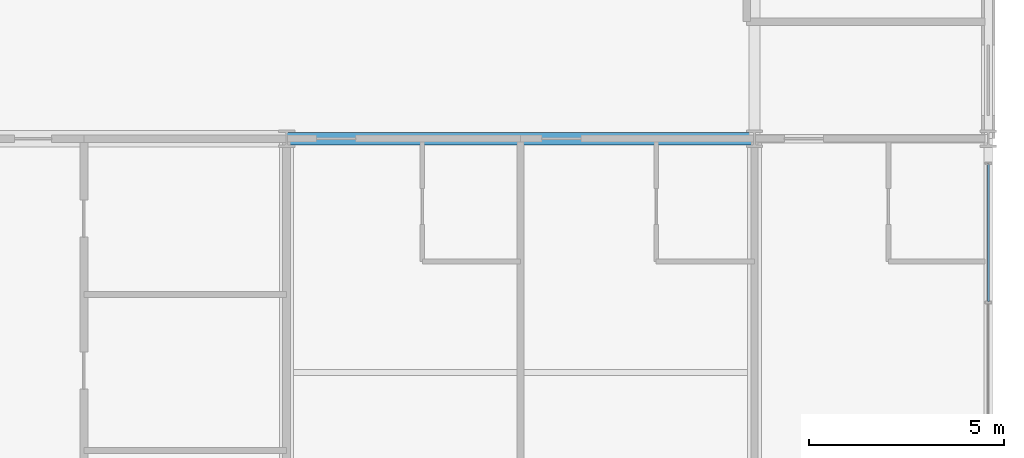
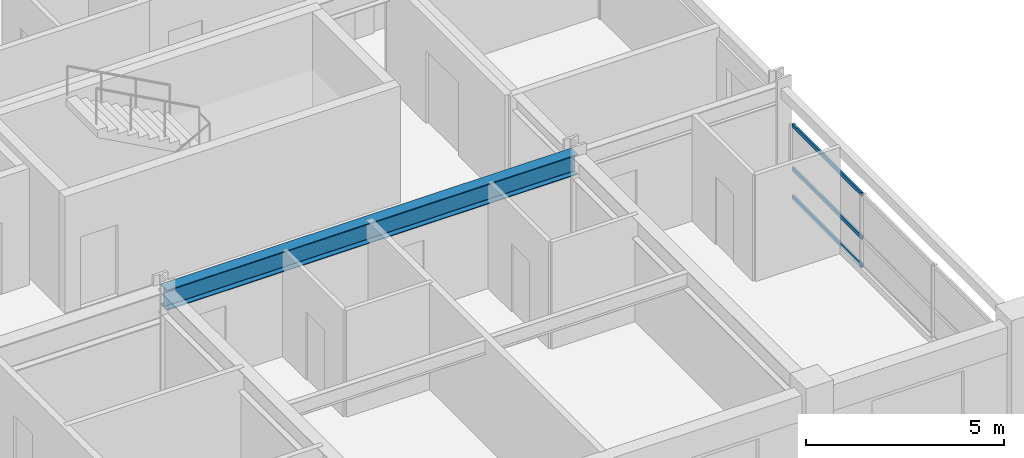
# One storey, part 11 of 26: 3 members, 1 beam, 1 element without a shape of its own.
"""IFC4 building model written with IfcOpenShell, lengths in metres."""

import ifcopenshell
import ifcopenshell.guid

model = None  # the IFC model being written
_history = None  # IfcOwnerHistory: only IFC2X3 demands one
_inside = {}  # id of a spatial element -> (the spatial element, [elements in it])
_under = {}  # id of a project, library or spatial element -> (it, [spatial elements below it])
_declared = {}  # id of a project -> (the project, [libraries it declares])
_typed = {}  # id of a type object -> (the type object, [elements of that type])
_made_of = {}  # id of a material, layer set ... -> (it, [elements and type objects made of it])


def new_model(schema):
    """Start an empty IFC model of exactly this schema.

    Asked for "IFC4X3", IfcOpenShell would pick the latest addendum, in which some entities
    have other attributes; the version numbers below select the first issue.
    IFC2X3 requires an IfcOwnerHistory on every rooted entity: one is made here for all.
    """
    global model, _history
    if schema == "IFC4X3":
        model = ifcopenshell.file(schema_version=(4, 3, 0, 0))
    else:
        model = ifcopenshell.file(schema=schema)
    _inside.clear()
    _under.clear()
    _declared.clear()
    _typed.clear()
    _made_of.clear()
    _history = None
    if model.schema == "IFC2X3":
        org = make("IfcOrganization", Name="unknown")
        user = make(
            "IfcPersonAndOrganization",
            ThePerson=make("IfcPerson", FamilyName="unknown"),
            TheOrganization=org,
        )
        app = make(
            "IfcApplication",
            ApplicationDeveloper=org,
            Version="unknown",
            ApplicationFullName="unknown",
            ApplicationIdentifier="unknown",
        )
        _history = make(
            "IfcOwnerHistory",
            OwningUser=user,
            OwningApplication=app,
            ChangeAction="ADDED",
            CreationDate=0,
        )
    return model


def make(cls, **values):
    """One entity of the class cls with the attributes given. An attribute that is None is left unset."""
    return model.create_entity(
        cls, **{name: value for name, value in values.items() if value is not None}
    )


def rooted(cls, **values):
    """An entity with a GlobalId (a new one), such as an element, a storey or a relation."""
    return make(cls, GlobalId=ifcopenshell.guid.new(), OwnerHistory=_history, **values)


def si_unit(unit_type, name, prefix=None):
    """IfcSIUnit, for example si_unit("LENGTHUNIT", "METRE", prefix="MILLI")."""
    return make("IfcSIUnit", UnitType=unit_type, Prefix=prefix, Name=name)


def assignment(units):
    """IfcUnitAssignment: the units of a project."""
    return None if units is None else make("IfcUnitAssignment", Units=units)


def point(xyz):
    """IfcCartesianPoint."""
    return None if xyz is None else make("IfcCartesianPoint", Coordinates=xyz)


def direction(xyz):
    """IfcDirection."""
    return None if xyz is None else make("IfcDirection", DirectionRatios=xyz)


def frame(location, z_axis=None, x_axis=None):
    """IfcAxis2Placement3D, a coordinate frame: its origin and axes. An axis left out is left unset."""
    return make(
        "IfcAxis2Placement3D",
        Location=point(location),
        Axis=direction(z_axis),
        RefDirection=direction(x_axis),
    )


def frame_2d(location, x_axis=None):
    """IfcAxis2Placement2D, a coordinate frame in the plane: its origin and x axis."""
    return make(
        "IfcAxis2Placement2D", Location=point(location), RefDirection=direction(x_axis)
    )


def origin():
    """The frame at (0, 0, 0) with its axes left unset."""
    return frame((0.0, 0.0, 0.0))


def origin_2d():
    """The frame at (0, 0) in the plane with its x axis left unset."""
    return frame_2d((0.0, 0.0))


def place(relative_to, where):
    """IfcLocalPlacement: puts the frame where relative to a parent placement (None: the world)."""
    return make(
        "IfcLocalPlacement", PlacementRelTo=relative_to, RelativePlacement=where
    )


def context(
    kind, dimensions, precision=None, world=None, true_north=None, identifier=None
):
    """IfcGeometricRepresentationContext, for example the 3D "Model" context."""
    return make(
        "IfcGeometricRepresentationContext",
        ContextIdentifier=identifier,
        ContextType=kind,
        CoordinateSpaceDimension=dimensions,
        Precision=precision,
        WorldCoordinateSystem=world,
        TrueNorth=true_north,
    )


def subcontext(parent, identifier, kind, view, scale=None):
    """IfcGeometricRepresentationSubContext, for example "Body" below "Model"."""
    return make(
        "IfcGeometricRepresentationSubContext",
        ContextIdentifier=identifier,
        ContextType=kind,
        ParentContext=parent,
        TargetScale=scale,
        TargetView=view,
    )


def project(units=None, contexts=None):
    """IfcProject with its units and contexts."""
    return rooted(
        "IfcProject",
        Name="project",
        RepresentationContexts=contexts,
        UnitsInContext=assignment(units),
    )


def spatial(cls, under=None, at=None, **own):
    """A site, building, storey or space (cls), placed at a placement, below another one or the project."""
    s = rooted(cls, ObjectPlacement=at, **own)
    if under is not None:
        _under.setdefault(under.id(), (under, []))[1].append(s)
    return s


def profile(cls, at=None, kind="AREA", **sizes):
    """A parametric profile (cls). Its sizes go by their IFC names, for example OverallWidth=200.0."""
    return make(cls, ProfileType=kind, Position=at, **sizes)


def hollow_rectangle(**sizes):
    """IfcRectangleHollowProfileDef."""
    return profile("IfcRectangleHollowProfileDef", **sizes)


def i_section(**sizes):
    """IfcIShapeProfileDef."""
    return profile("IfcIShapeProfileDef", **sizes)


def extrude(swept, where, along, depth):
    """IfcExtrudedAreaSolid: the profile swept, set in the frame where, extruded along a direction by depth."""
    return make(
        "IfcExtrudedAreaSolid",
        SweptArea=swept,
        Position=where,
        ExtrudedDirection=direction(along),
        Depth=depth,
    )


def shape(context_of_items, identifier, shape_type, items):
    """IfcShapeRepresentation: the items that make up one representation, for example the "Body"."""
    return make(
        "IfcShapeRepresentation",
        ContextOfItems=context_of_items,
        RepresentationIdentifier=identifier,
        RepresentationType=shape_type,
        Items=items,
    )


def material(Name=None, Category=None):
    """IfcMaterial."""
    return make("IfcMaterial", Name=Name, Category=Category)


def material_profile(
    of_material, cross_section, Name=None, Category=None, Priority=None
):
    """IfcMaterialProfile: a cross section and its material."""
    return make(
        "IfcMaterialProfile",
        Name=Name,
        Material=of_material,
        Profile=cross_section,
        Priority=Priority,
        Category=Category,
    )


def profile_set(profiles, Name=None, composite=None):
    """IfcMaterialProfileSet."""
    return make(
        "IfcMaterialProfileSet",
        Name=Name,
        MaterialProfiles=profiles,
        CompositeProfile=composite,
    )


def made_of(thing, what):
    """Note that an element or type object is made of a material, layer set ...; save() writes the relation."""
    if what is not None:
        _made_of.setdefault(what.id(), (what, []))[1].append(thing)
    return thing


def type_object(cls, material=None, **own):
    """A type object (cls), such as IfcWallType, which elements share."""
    return made_of(rooted(cls, **own), material)


def element(
    cls,
    number,
    at=None,
    inside=None,
    cuts=None,
    type_object=None,
    material=None,
    context=None,
    identifier="Body",
    shape_type=None,
    held_by="IfcProductDefinitionShape",
    body=None,
    shapes=None,
    **own,
):
    """One element of the class cls, such as IfcWall. Its Tag is "e" and its number.

    at: its placement. inside: the storey or other place that contains it. cuts: it is an
    opening in that element (IfcRelVoidsElement). A single representation is given by context,
    identifier, shape_type and body (its items); several are given by shapes. held_by: the class
    of the entity that holds the representations. save() writes the other relations.
    """
    e = rooted(cls, Tag="e%d" % number, ObjectPlacement=at, **own)
    if body is not None:
        shapes = [shape(context, identifier, shape_type, body)]
    if shapes is not None:
        e.Representation = make(held_by, Representations=shapes)
    if inside is not None:
        _inside.setdefault(inside.id(), (inside, []))[1].append(e)
    if cuts is not None:
        rooted(
            "IfcRelVoidsElement", RelatingBuildingElement=cuts, RelatedOpeningElement=e
        )
    if type_object is not None:
        _typed.setdefault(type_object.id(), (type_object, []))[1].append(e)
    return made_of(e, material)


def aggregate(whole, parts):
    """IfcRelAggregates: a whole, such as a stair, and the parts it consists of."""
    return rooted("IfcRelAggregates", RelatingObject=whole, RelatedObjects=parts)


def save(model, path):
    """Write the relations noted so far, then the file.

    IfcRelAggregates (storeys below a building ...), IfcRelContainedInSpatialStructure (elements
    in a storey), IfcRelDefinesByType, IfcRelAssociatesMaterial and IfcRelDeclares: one each for
    every whole, place, type object, material and project.
    """
    for whole, parts in _under.values():
        aggregate(whole, parts)
    for where, things in _inside.values():
        rooted(
            "IfcRelContainedInSpatialStructure",
            RelatedElements=things,
            RelatingStructure=where,
        )
    for kind, things in _typed.values():
        rooted("IfcRelDefinesByType", RelatedObjects=things, RelatingType=kind)
    for what, things in _made_of.values():
        rooted("IfcRelAssociatesMaterial", RelatedObjects=things, RelatingMaterial=what)
    for by, libraries in _declared.values():
        rooted("IfcRelDeclares", RelatingContext=by, RelatedDefinitions=libraries)
    model.write(path)


model = new_model("IFC4")

# Units and contexts
model_context = context("Model", 3, precision=1e-05, world=origin(), true_north=direction((0.0, 1.0)))
body_context = subcontext(model_context, "Body", "Model", "MODEL_VIEW")
ifc_project = project(units=[si_unit("LENGTHUNIT", "METRE"), si_unit("AREAUNIT", "SQUARE_METRE"), si_unit("VOLUMEUNIT", "CUBIC_METRE"), si_unit("PLANEANGLEUNIT", "RADIAN"), si_unit("MASSUNIT", "GRAM", prefix="KILO")], contexts=[model_context])

# Site, building, storey
site_placement = place(None, origin())
site = spatial("IfcSite", under=ifc_project, at=site_placement, CompositionType="ELEMENT")
building_placement = place(site_placement, origin())
building = spatial("IfcBuilding", under=site, at=building_placement, Name="Kaldorvane Square Convention Centre", CompositionType="ELEMENT")
storey_placement = place(building_placement, frame((0.0, 0.0, 42.0)))
storey = spatial("IfcBuildingStorey", under=building, at=storey_placement, Name="L09", CompositionType="ELEMENT", Elevation=42.0)

# Beam
ifc_material_1 = material(Name="Steel ASTM A992 Gr. 50", Category="steel")
ifc_material_profile_1 = material_profile(ifc_material_1, i_section(OverallWidth=0.326507568359375, OverallDepth=0.621795654296875, WebThickness=0.0153961181640625, FlangeThickness=0.0243988037109375, FilletRadius=0.0126953125, at=origin_2d()), Name="W24X131")
ifc_profile_set_1 = profile_set([ifc_material_profile_1], Name="Steel ASTM A992 Gr. 50")
beam_type = type_object("IfcBeamType", Name="BM-GR-W24X131", PredefinedType="BEAM", material=ifc_profile_set_1)
beam_placement = place(storey_placement, frame((66.0, 96.0, 2.97509765625), z_axis=(1.0, 0.0, 0.0), x_axis=(0.0, 1.0, 0.0)))
element("IfcBeam", 1, at=beam_placement, inside=storey, type_object=beam_type, Name="Primary Girder (L09)", PredefinedType="BEAM", context=body_context, shape_type="SweptSolid", body=[
    extrude(i_section(OverallWidth=0.326507568359375, OverallDepth=0.621795654296875, WebThickness=0.0153961181640625, FlangeThickness=0.0243988037109375, FilletRadius=0.0126953125, at=origin_2d()), origin(), (0.0, 0.0, 1.0), 12.0),
])

# Curtain wall, members
ifc_material_2 = material(Name="Anodized Aluminum and Low-E Insulated Glazing", Category="aluminium")
curtain_wall_type = type_object("IfcCurtainWallType", Name="CW-UNI-HTL-A", PredefinedType="USERDEFINED", material=ifc_material_2)
curtain_wall_placement = place(storey_placement, origin())
curtain_wall = element("IfcCurtainWall", 2, at=curtain_wall_placement, inside=storey, type_object=curtain_wall_type, Name="Curtain Wall CW-10 (L09)", ObjectType="UNITISED GLAZING", PredefinedType="USERDEFINED")
ifc_material_profile_2 = material_profile(ifc_material_2, hollow_rectangle(XDim=0.05499267578125, YDim=0.1199951171875, WallThickness=0.0030059814453125, at=origin_2d()), Name="CWT-120X55")
ifc_profile_set_2 = profile_set([ifc_material_profile_2], Name="Anodized Aluminum and Low-E Insulated Glazing")
member_type = type_object("IfcMemberType", Name="CW-TRN-120", PredefinedType="USERDEFINED", material=ifc_profile_set_2)
member_1_placement = place(storey_placement, frame((84.0, 91.83000183105469, 0.1775054931640625), z_axis=(0.0, 1.0, 0.0), x_axis=(-1.0, 0.0, 0.0)))
member_1 = element("IfcMember", 3, at=member_1_placement, type_object=member_type, Name="CW-10 transom 3.1", ObjectType="TRANSOM", PredefinedType="USERDEFINED", context=body_context, shape_type="SweptSolid", body=[
    extrude(hollow_rectangle(XDim=0.05499267578125, YDim=0.1199951171875, WallThickness=0.0030059814453125, at=origin_2d()), origin(), (0.0, 0.0, 1.0), 3.5099945068359375),
])
member_2_placement = place(storey_placement, frame((84.0, 91.83000183105469, 1.0500030517578125), z_axis=(0.0, 1.0, 0.0), x_axis=(-1.0, 0.0, 0.0)))
member_2 = element("IfcMember", 4, at=member_2_placement, type_object=member_type, Name="CW-10 transom 3.2", ObjectType="TRANSOM", PredefinedType="USERDEFINED", context=body_context, shape_type="SweptSolid", body=[
    extrude(hollow_rectangle(XDim=0.05499267578125, YDim=0.1199951171875, WallThickness=0.0030059814453125, at=origin_2d()), origin(), (0.0, 0.0, 1.0), 3.5099945068359375),
])
member_3_placement = place(storey_placement, frame((84.0, 91.83000183105469, 2.38250732421875), z_axis=(0.0, 1.0, 0.0), x_axis=(-1.0, 0.0, 0.0)))
member_3 = element("IfcMember", 5, at=member_3_placement, type_object=member_type, Name="CW-10 transom 3.3", ObjectType="TRANSOM", PredefinedType="USERDEFINED", context=body_context, shape_type="SweptSolid", body=[
    extrude(hollow_rectangle(XDim=0.05499267578125, YDim=0.1199951171875, WallThickness=0.0030059814453125, at=origin_2d()), origin(), (0.0, 0.0, 1.0), 3.5099945068359375),
])
aggregate(curtain_wall, [member_1, member_2, member_3])

save(model, "model.ifc")
